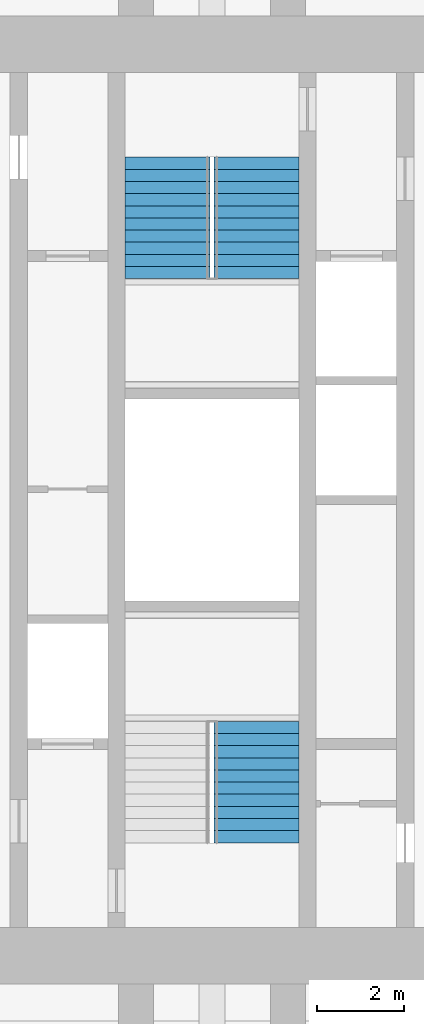
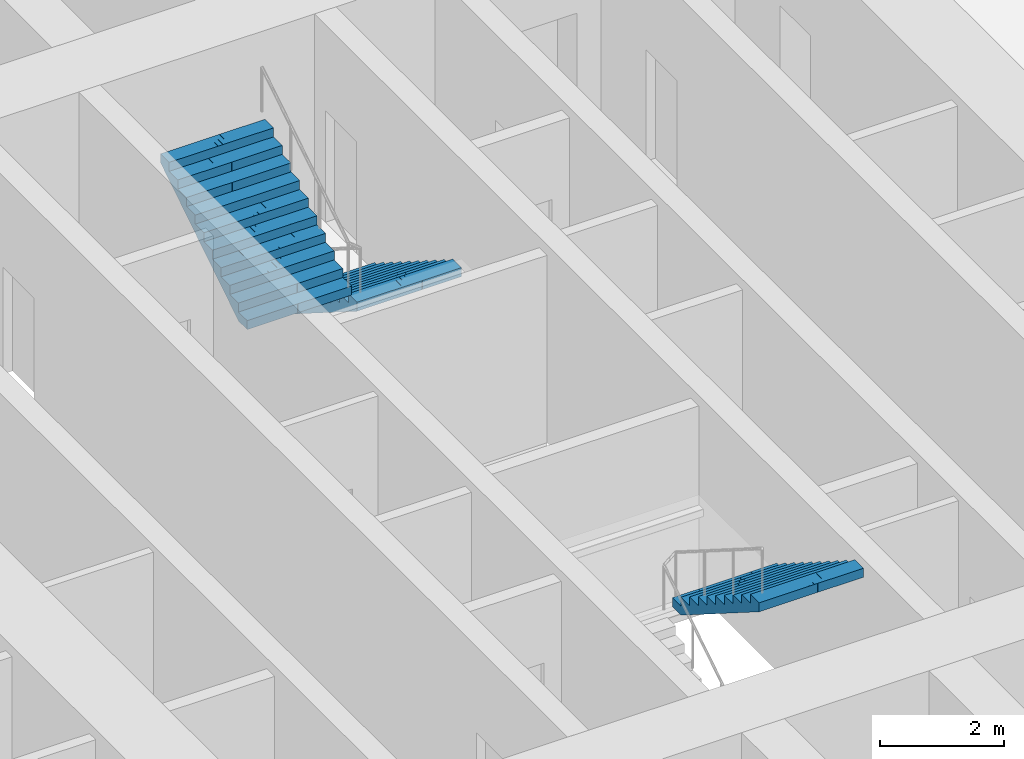
# One storey, part 16 of 17: 3 stair flights, 2 elements without a shape of their own.
"""IFC4 building model written with IfcOpenShell, lengths in metres."""

import ifcopenshell
import ifcopenshell.guid

model = None  # the IFC model being written
_history = None  # IfcOwnerHistory: only IFC2X3 demands one
_inside = {}  # id of a spatial element -> (the spatial element, [elements in it])
_under = {}  # id of a project, library or spatial element -> (it, [spatial elements below it])
_declared = {}  # id of a project -> (the project, [libraries it declares])
_typed = {}  # id of a type object -> (the type object, [elements of that type])
_made_of = {}  # id of a material, layer set ... -> (it, [elements and type objects made of it])


def new_model(schema):
    """Start an empty IFC model of exactly this schema.

    Asked for "IFC4X3", IfcOpenShell would pick the latest addendum, in which some entities
    have other attributes; the version numbers below select the first issue.
    IFC2X3 requires an IfcOwnerHistory on every rooted entity: one is made here for all.
    """
    global model, _history
    if schema == "IFC4X3":
        model = ifcopenshell.file(schema_version=(4, 3, 0, 0))
    else:
        model = ifcopenshell.file(schema=schema)
    _inside.clear()
    _under.clear()
    _declared.clear()
    _typed.clear()
    _made_of.clear()
    _history = None
    if model.schema == "IFC2X3":
        org = make("IfcOrganization", Name="unknown")
        user = make(
            "IfcPersonAndOrganization",
            ThePerson=make("IfcPerson", FamilyName="unknown"),
            TheOrganization=org,
        )
        app = make(
            "IfcApplication",
            ApplicationDeveloper=org,
            Version="unknown",
            ApplicationFullName="unknown",
            ApplicationIdentifier="unknown",
        )
        _history = make(
            "IfcOwnerHistory",
            OwningUser=user,
            OwningApplication=app,
            ChangeAction="ADDED",
            CreationDate=0,
        )
    return model


def make(cls, **values):
    """One entity of the class cls with the attributes given. An attribute that is None is left unset."""
    return model.create_entity(
        cls, **{name: value for name, value in values.items() if value is not None}
    )


def rooted(cls, **values):
    """An entity with a GlobalId (a new one), such as an element, a storey or a relation."""
    return make(cls, GlobalId=ifcopenshell.guid.new(), OwnerHistory=_history, **values)


def si_unit(unit_type, name, prefix=None):
    """IfcSIUnit, for example si_unit("LENGTHUNIT", "METRE", prefix="MILLI")."""
    return make("IfcSIUnit", UnitType=unit_type, Prefix=prefix, Name=name)


def assignment(units):
    """IfcUnitAssignment: the units of a project."""
    return None if units is None else make("IfcUnitAssignment", Units=units)


def point(xyz):
    """IfcCartesianPoint."""
    return None if xyz is None else make("IfcCartesianPoint", Coordinates=xyz)


def direction(xyz):
    """IfcDirection."""
    return None if xyz is None else make("IfcDirection", DirectionRatios=xyz)


def frame(location, z_axis=None, x_axis=None):
    """IfcAxis2Placement3D, a coordinate frame: its origin and axes. An axis left out is left unset."""
    return make(
        "IfcAxis2Placement3D",
        Location=point(location),
        Axis=direction(z_axis),
        RefDirection=direction(x_axis),
    )


def origin():
    """The frame at (0, 0, 0) with its axes left unset."""
    return frame((0.0, 0.0, 0.0))


def place(relative_to, where):
    """IfcLocalPlacement: puts the frame where relative to a parent placement (None: the world)."""
    return make(
        "IfcLocalPlacement", PlacementRelTo=relative_to, RelativePlacement=where
    )


def context(
    kind, dimensions, precision=None, world=None, true_north=None, identifier=None
):
    """IfcGeometricRepresentationContext, for example the 3D "Model" context."""
    return make(
        "IfcGeometricRepresentationContext",
        ContextIdentifier=identifier,
        ContextType=kind,
        CoordinateSpaceDimension=dimensions,
        Precision=precision,
        WorldCoordinateSystem=world,
        TrueNorth=true_north,
    )


def subcontext(parent, identifier, kind, view, scale=None):
    """IfcGeometricRepresentationSubContext, for example "Body" below "Model"."""
    return make(
        "IfcGeometricRepresentationSubContext",
        ContextIdentifier=identifier,
        ContextType=kind,
        ParentContext=parent,
        TargetScale=scale,
        TargetView=view,
    )


def project(units=None, contexts=None):
    """IfcProject with its units and contexts."""
    return rooted(
        "IfcProject",
        Name="project",
        RepresentationContexts=contexts,
        UnitsInContext=assignment(units),
    )


def spatial(cls, under=None, at=None, **own):
    """A site, building, storey or space (cls), placed at a placement, below another one or the project."""
    s = rooted(cls, ObjectPlacement=at, **own)
    if under is not None:
        _under.setdefault(under.id(), (under, []))[1].append(s)
    return s


def polyline(points):
    """IfcPolyline through the points."""
    return make("IfcPolyline", Points=[point(p) for p in points])


def outline(outer, holes=None, kind="AREA"):
    """IfcArbitraryClosedProfileDef: a profile drawn as a closed curve; with holes, ...WithVoids."""
    if holes is None:
        return make("IfcArbitraryClosedProfileDef", ProfileType=kind, OuterCurve=outer)
    return make(
        "IfcArbitraryProfileDefWithVoids",
        ProfileType=kind,
        OuterCurve=outer,
        InnerCurves=holes,
    )


def extrude(swept, where, along, depth):
    """IfcExtrudedAreaSolid: the profile swept, set in the frame where, extruded along a direction by depth."""
    return make(
        "IfcExtrudedAreaSolid",
        SweptArea=swept,
        Position=where,
        ExtrudedDirection=direction(along),
        Depth=depth,
    )


def shape(context_of_items, identifier, shape_type, items):
    """IfcShapeRepresentation: the items that make up one representation, for example the "Body"."""
    return make(
        "IfcShapeRepresentation",
        ContextOfItems=context_of_items,
        RepresentationIdentifier=identifier,
        RepresentationType=shape_type,
        Items=items,
    )


def material(Name=None, Category=None):
    """IfcMaterial."""
    return make("IfcMaterial", Name=Name, Category=Category)


def made_of(thing, what):
    """Note that an element or type object is made of a material, layer set ...; save() writes the relation."""
    if what is not None:
        _made_of.setdefault(what.id(), (what, []))[1].append(thing)
    return thing


def type_object(cls, material=None, **own):
    """A type object (cls), such as IfcWallType, which elements share."""
    return made_of(rooted(cls, **own), material)


def element(
    cls,
    number,
    at=None,
    inside=None,
    cuts=None,
    type_object=None,
    material=None,
    context=None,
    identifier="Body",
    shape_type=None,
    held_by="IfcProductDefinitionShape",
    body=None,
    shapes=None,
    **own,
):
    """One element of the class cls, such as IfcWall. Its Tag is "e" and its number.

    at: its placement. inside: the storey or other place that contains it. cuts: it is an
    opening in that element (IfcRelVoidsElement). A single representation is given by context,
    identifier, shape_type and body (its items); several are given by shapes. held_by: the class
    of the entity that holds the representations. save() writes the other relations.
    """
    e = rooted(cls, Tag="e%d" % number, ObjectPlacement=at, **own)
    if body is not None:
        shapes = [shape(context, identifier, shape_type, body)]
    if shapes is not None:
        e.Representation = make(held_by, Representations=shapes)
    if inside is not None:
        _inside.setdefault(inside.id(), (inside, []))[1].append(e)
    if cuts is not None:
        rooted(
            "IfcRelVoidsElement", RelatingBuildingElement=cuts, RelatedOpeningElement=e
        )
    if type_object is not None:
        _typed.setdefault(type_object.id(), (type_object, []))[1].append(e)
    return made_of(e, material)


def aggregate(whole, parts):
    """IfcRelAggregates: a whole, such as a stair, and the parts it consists of."""
    return rooted("IfcRelAggregates", RelatingObject=whole, RelatedObjects=parts)


def save(model, path):
    """Write the relations noted so far, then the file.

    IfcRelAggregates (storeys below a building ...), IfcRelContainedInSpatialStructure (elements
    in a storey), IfcRelDefinesByType, IfcRelAssociatesMaterial and IfcRelDeclares: one each for
    every whole, place, type object, material and project.
    """
    for whole, parts in _under.values():
        aggregate(whole, parts)
    for where, things in _inside.values():
        rooted(
            "IfcRelContainedInSpatialStructure",
            RelatedElements=things,
            RelatingStructure=where,
        )
    for kind, things in _typed.values():
        rooted("IfcRelDefinesByType", RelatedObjects=things, RelatingType=kind)
    for what, things in _made_of.values():
        rooted("IfcRelAssociatesMaterial", RelatedObjects=things, RelatingMaterial=what)
    for by, libraries in _declared.values():
        rooted("IfcRelDeclares", RelatingContext=by, RelatedDefinitions=libraries)
    model.write(path)


model = new_model("IFC4")

# Units and contexts
model_context = context("Model", 3, precision=1e-05, world=origin(), true_north=direction((0.0, 1.0)))
body_context = subcontext(model_context, "Body", "Model", "MODEL_VIEW")
ifc_project = project(units=[si_unit("LENGTHUNIT", "METRE"), si_unit("AREAUNIT", "SQUARE_METRE"), si_unit("VOLUMEUNIT", "CUBIC_METRE"), si_unit("PLANEANGLEUNIT", "RADIAN"), si_unit("MASSUNIT", "GRAM", prefix="KILO")], contexts=[model_context])

# Site, building, storey
site_placement = place(None, origin())
site = spatial("IfcSite", under=ifc_project, at=site_placement, CompositionType="ELEMENT")
building_placement = place(site_placement, origin())
building = spatial("IfcBuilding", under=site, at=building_placement, Name="Mizan Broadcast Tower", CompositionType="ELEMENT")
storey_placement = place(building_placement, frame((0.0, 0.0, 263.39990234375)))
storey = spatial("IfcBuildingStorey", under=building, at=storey_placement, Name="L62", CompositionType="ELEMENT", Elevation=263.39990234375)

# Stair, stair flight
ifc_material_1 = material(Name="Concrete C40/50", Category="concrete")
stair_type = type_object("IfcStairType", Name="EXIT STAIR", PredefinedType="HALF_TURN_STAIR", material=ifc_material_1)
stair_1_placement = place(storey_placement, origin())
stair_1 = element("IfcStair", 1, at=stair_1_placement, inside=storey, type_object=stair_type, Name="Stair A L62", PredefinedType="HALF_TURN_STAIR")
ifc_material_2 = material(Name="Concrete C40/50", Category="concrete")
stair_flight_type = type_object("IfcStairFlightType", Name="EXIT STAIR FLIGHT", PredefinedType="STRAIGHT", material=ifc_material_2)
stair_flight_1_placement = place(storey_placement, frame((1.02490234375, -5.10009765625, 1.9501953125), z_axis=(0.0, 0.0, 1.0), x_axis=(0.0, -1.0, 0.0)))
stair_flight_1 = element("IfcStairFlight", 2, at=stair_flight_1_placement, type_object=stair_flight_type, Name="A flight 2", NumberOfRisers=11, NumberOfTreads=10, PredefinedType="STRAIGHT", RiserHeight=0.177272727, TreadLength=0.28, context=body_context, shape_type="SweptSolid", body=[
    extrude(outline(polyline([(0.0, 0.0), (0.0, 0.17724609375), (0.280029296875, 0.17724609375), (0.280029296875, 0.3544921875), (0.56005859375, 0.3544921875), (0.56005859375, 0.53173828125), (0.840087890625, 0.53173828125), (0.840087890625, 0.708984375), (1.1201171875, 0.708984375), (1.1201171875, 0.886474609375), (1.39990234375, 0.886474609375), (1.39990234375, 1.063720703125), (1.679931640625, 1.063720703125), (1.679931640625, 1.240966796875), (1.9599609375, 1.240966796875), (1.9599609375, 1.418212890625), (2.239990234375, 1.418212890625), (2.239990234375, 1.595458984375), (2.52001953125, 1.595458984375), (2.52001953125, 1.772705078125), (2.800048828125, 1.772705078125), (2.800048828125, 1.949951171875), (2.800048828125, 1.59521484375), (0.2802734375, 0.0), (0.0, 0.0)])), frame((0.0, 0.97509765625, 0.0), z_axis=(0.0, -1.0, 0.0), x_axis=(1.0, 0.0, 0.0)), (0.0, 0.0, 1.0), 0.4873046875),
    extrude(outline(polyline([(0.0, 0.0), (0.0, 0.17724609375), (0.280029296875, 0.17724609375), (0.280029296875, 0.3544921875), (0.56005859375, 0.3544921875), (0.56005859375, 0.53173828125), (0.840087890625, 0.53173828125), (0.840087890625, 0.708984375), (1.1201171875, 0.708984375), (1.1201171875, 0.886474609375), (1.39990234375, 0.886474609375), (1.39990234375, 1.063720703125), (1.679931640625, 1.063720703125), (1.679931640625, 1.240966796875), (1.9599609375, 1.240966796875), (1.9599609375, 1.418212890625), (2.239990234375, 1.418212890625), (2.239990234375, 1.595458984375), (2.52001953125, 1.595458984375), (2.52001953125, 1.772705078125), (2.800048828125, 1.772705078125), (2.800048828125, 1.949951171875), (2.800048828125, 1.59521484375), (0.2802734375, 0.0), (0.0, 0.0)])), frame((0.0, 0.4873046875, 0.0), z_axis=(0.0, -1.0, 0.0), x_axis=(1.0, 0.0, 0.0)), (0.0, 0.0, 1.0), 0.2431640625),
    extrude(outline(polyline([(0.0, 0.0), (0.0, 0.17724609375), (0.280029296875, 0.17724609375), (0.280029296875, 0.3544921875), (0.56005859375, 0.3544921875), (0.56005859375, 0.53173828125), (0.840087890625, 0.53173828125), (0.840087890625, 0.708984375), (1.1201171875, 0.708984375), (1.1201171875, 0.886474609375), (1.39990234375, 0.886474609375), (1.39990234375, 1.063720703125), (1.679931640625, 1.063720703125), (1.679931640625, 1.240966796875), (1.9599609375, 1.240966796875), (1.9599609375, 1.418212890625), (2.239990234375, 1.418212890625), (2.239990234375, 1.595458984375), (2.52001953125, 1.595458984375), (2.52001953125, 1.772705078125), (2.800048828125, 1.772705078125), (2.800048828125, 1.949951171875), (2.800048828125, 1.59521484375), (0.2802734375, 0.0), (0.0, 0.0)])), frame((0.0, 0.24365234375, 0.0), z_axis=(0.0, -1.0, 0.0), x_axis=(1.0, 0.0, 0.0)), (0.0, 0.0, 1.0), 0.121337890625),
    extrude(outline(polyline([(0.0, 0.0), (0.0, 0.17724609375), (0.280029296875, 0.17724609375), (0.280029296875, 0.3544921875), (0.56005859375, 0.3544921875), (0.56005859375, 0.53173828125), (0.840087890625, 0.53173828125), (0.840087890625, 0.708984375), (1.1201171875, 0.708984375), (1.1201171875, 0.886474609375), (1.39990234375, 0.886474609375), (1.39990234375, 1.063720703125), (1.679931640625, 1.063720703125), (1.679931640625, 1.240966796875), (1.9599609375, 1.240966796875), (1.9599609375, 1.418212890625), (2.239990234375, 1.418212890625), (2.239990234375, 1.595458984375), (2.52001953125, 1.595458984375), (2.52001953125, 1.772705078125), (2.800048828125, 1.772705078125), (2.800048828125, 1.949951171875), (2.800048828125, 1.59521484375), (0.2802734375, 0.0), (0.0, 0.0)])), frame((0.0, 0.121826171875, 0.0), z_axis=(0.0, -1.0, 0.0), x_axis=(1.0, 0.0, 0.0)), (0.0, 0.0, 1.0), 0.060546875),
    extrude(outline(polyline([(0.0, 0.0), (0.0, 0.17724609375), (0.280029296875, 0.17724609375), (0.280029296875, 0.3544921875), (0.56005859375, 0.3544921875), (0.56005859375, 0.53173828125), (0.840087890625, 0.53173828125), (0.840087890625, 0.708984375), (1.1201171875, 0.708984375), (1.1201171875, 0.886474609375), (1.39990234375, 0.886474609375), (1.39990234375, 1.063720703125), (1.679931640625, 1.063720703125), (1.679931640625, 1.240966796875), (1.9599609375, 1.240966796875), (1.9599609375, 1.418212890625), (2.239990234375, 1.418212890625), (2.239990234375, 1.595458984375), (2.52001953125, 1.595458984375), (2.52001953125, 1.772705078125), (2.800048828125, 1.772705078125), (2.800048828125, 1.949951171875), (2.800048828125, 1.59521484375), (0.2802734375, 0.0), (0.0, 0.0)])), frame((0.0, 0.060791015625, 0.0), z_axis=(0.0, -1.0, 0.0), x_axis=(1.0, 0.0, 0.0)), (0.0, 0.0, 1.0), 0.030029296875),
    extrude(outline(polyline([(0.0, 0.0), (0.0, 0.17724609375), (0.280029296875, 0.17724609375), (0.280029296875, 0.3544921875), (0.56005859375, 0.3544921875), (0.56005859375, 0.53173828125), (0.840087890625, 0.53173828125), (0.840087890625, 0.708984375), (1.1201171875, 0.708984375), (1.1201171875, 0.886474609375), (1.39990234375, 0.886474609375), (1.39990234375, 1.063720703125), (1.679931640625, 1.063720703125), (1.679931640625, 1.240966796875), (1.9599609375, 1.240966796875), (1.9599609375, 1.418212890625), (2.239990234375, 1.418212890625), (2.239990234375, 1.595458984375), (2.52001953125, 1.595458984375), (2.52001953125, 1.772705078125), (2.800048828125, 1.772705078125), (2.800048828125, 1.949951171875), (2.800048828125, 1.59521484375), (0.2802734375, 0.0), (0.0, 0.0)])), frame((0.0, 0.0302734375, 0.0), z_axis=(0.0, -1.0, 0.0), x_axis=(1.0, 0.0, 0.0)), (0.0, 0.0, 1.0), 0.060302734375),
    extrude(outline(polyline([(0.0, 0.0), (0.0, 0.17724609375), (0.280029296875, 0.17724609375), (0.280029296875, 0.3544921875), (0.56005859375, 0.3544921875), (0.56005859375, 0.53173828125), (0.840087890625, 0.53173828125), (0.840087890625, 0.708984375), (1.1201171875, 0.708984375), (1.1201171875, 0.886474609375), (1.39990234375, 0.886474609375), (1.39990234375, 1.063720703125), (1.679931640625, 1.063720703125), (1.679931640625, 1.240966796875), (1.9599609375, 1.240966796875), (1.9599609375, 1.418212890625), (2.239990234375, 1.418212890625), (2.239990234375, 1.595458984375), (2.52001953125, 1.595458984375), (2.52001953125, 1.772705078125), (2.800048828125, 1.772705078125), (2.800048828125, 1.949951171875), (2.800048828125, 1.59521484375), (0.2802734375, 0.0), (0.0, 0.0)])), frame((0.0, -0.030517578125, 0.0), z_axis=(0.0, -1.0, 0.0), x_axis=(1.0, 0.0, 0.0)), (0.0, 0.0, 1.0), 0.030029296875),
    extrude(outline(polyline([(0.0, 0.0), (0.0, 0.17724609375), (0.280029296875, 0.17724609375), (0.280029296875, 0.3544921875), (0.56005859375, 0.3544921875), (0.56005859375, 0.53173828125), (0.840087890625, 0.53173828125), (0.840087890625, 0.708984375), (1.1201171875, 0.708984375), (1.1201171875, 0.886474609375), (1.39990234375, 0.886474609375), (1.39990234375, 1.063720703125), (1.679931640625, 1.063720703125), (1.679931640625, 1.240966796875), (1.9599609375, 1.240966796875), (1.9599609375, 1.418212890625), (2.239990234375, 1.418212890625), (2.239990234375, 1.595458984375), (2.52001953125, 1.595458984375), (2.52001953125, 1.772705078125), (2.800048828125, 1.772705078125), (2.800048828125, 1.949951171875), (2.800048828125, 1.59521484375), (0.2802734375, 0.0), (0.0, 0.0)])), frame((0.0, -0.06103515625, 0.0), z_axis=(0.0, -1.0, 0.0), x_axis=(1.0, 0.0, 0.0)), (0.0, 0.0, 1.0), 0.060546875),
    extrude(outline(polyline([(0.0, 0.0), (0.0, 0.17724609375), (0.280029296875, 0.17724609375), (0.280029296875, 0.3544921875), (0.56005859375, 0.3544921875), (0.56005859375, 0.53173828125), (0.840087890625, 0.53173828125), (0.840087890625, 0.708984375), (1.1201171875, 0.708984375), (1.1201171875, 0.886474609375), (1.39990234375, 0.886474609375), (1.39990234375, 1.063720703125), (1.679931640625, 1.063720703125), (1.679931640625, 1.240966796875), (1.9599609375, 1.240966796875), (1.9599609375, 1.418212890625), (2.239990234375, 1.418212890625), (2.239990234375, 1.595458984375), (2.52001953125, 1.595458984375), (2.52001953125, 1.772705078125), (2.800048828125, 1.772705078125), (2.800048828125, 1.949951171875), (2.800048828125, 1.59521484375), (0.2802734375, 0.0), (0.0, 0.0)])), frame((0.0, -0.1220703125, 0.0), z_axis=(0.0, -1.0, 0.0), x_axis=(1.0, 0.0, 0.0)), (0.0, 0.0, 1.0), 0.121337890625),
    extrude(outline(polyline([(0.0, 0.0), (0.0, 0.17724609375), (0.280029296875, 0.17724609375), (0.280029296875, 0.3544921875), (0.56005859375, 0.3544921875), (0.56005859375, 0.53173828125), (0.840087890625, 0.53173828125), (0.840087890625, 0.708984375), (1.1201171875, 0.708984375), (1.1201171875, 0.886474609375), (1.39990234375, 0.886474609375), (1.39990234375, 1.063720703125), (1.679931640625, 1.063720703125), (1.679931640625, 1.240966796875), (1.9599609375, 1.240966796875), (1.9599609375, 1.418212890625), (2.239990234375, 1.418212890625), (2.239990234375, 1.595458984375), (2.52001953125, 1.595458984375), (2.52001953125, 1.772705078125), (2.800048828125, 1.772705078125), (2.800048828125, 1.949951171875), (2.800048828125, 1.59521484375), (0.2802734375, 0.0), (0.0, 0.0)])), frame((0.0, -0.243896484375, 0.0), z_axis=(0.0, -1.0, 0.0), x_axis=(1.0, 0.0, 0.0)), (0.0, 0.0, 1.0), 0.2431640625),
    extrude(outline(polyline([(0.0, 0.0), (0.0, 0.17724609375), (0.280029296875, 0.17724609375), (0.280029296875, 0.3544921875), (0.56005859375, 0.3544921875), (0.56005859375, 0.53173828125), (0.840087890625, 0.53173828125), (0.840087890625, 0.708984375), (1.1201171875, 0.708984375), (1.1201171875, 0.886474609375), (1.39990234375, 0.886474609375), (1.39990234375, 1.063720703125), (1.679931640625, 1.063720703125), (1.679931640625, 1.240966796875), (1.9599609375, 1.240966796875), (1.9599609375, 1.418212890625), (2.239990234375, 1.418212890625), (2.239990234375, 1.595458984375), (2.52001953125, 1.595458984375), (2.52001953125, 1.772705078125), (2.800048828125, 1.772705078125), (2.800048828125, 1.949951171875), (2.800048828125, 1.59521484375), (0.2802734375, 0.0), (0.0, 0.0)])), frame((0.0, -0.487548828125, 0.0), z_axis=(0.0, -1.0, 0.0), x_axis=(1.0, 0.0, 0.0)), (0.0, 0.0, 1.0), 0.4873046875),
])
aggregate(stair_1, [stair_flight_1])

# Stair, stair flights
stair_2_placement = place(storey_placement, origin())
stair_2 = element("IfcStair", 3, at=stair_2_placement, inside=storey, type_object=stair_type, Name="Stair B L62", PredefinedType="HALF_TURN_STAIR")
stair_flight_2_placement = place(storey_placement, frame((1.02490234375, 7.89990234375, 0.0), z_axis=(0.0, 0.0, 1.0), x_axis=(0.0, -1.0, 0.0)))
stair_flight_2 = element("IfcStairFlight", 4, at=stair_flight_2_placement, type_object=stair_flight_type, Name="B flight 1", NumberOfRisers=11, NumberOfTreads=10, PredefinedType="STRAIGHT", RiserHeight=0.177272727, TreadLength=0.28, context=body_context, shape_type="SweptSolid", body=[
    extrude(outline(polyline([(0.0, 0.0), (0.0, 0.17724609375), (0.280029296875, 0.17724609375), (0.280029296875, 0.3544921875), (0.56005859375, 0.3544921875), (0.56005859375, 0.53173828125), (0.840087890625, 0.53173828125), (0.840087890625, 0.708984375), (1.1201171875, 0.708984375), (1.1201171875, 0.886474609375), (1.39990234375, 0.886474609375), (1.39990234375, 1.063720703125), (1.679931640625, 1.063720703125), (1.679931640625, 1.240966796875), (1.9599609375, 1.240966796875), (1.9599609375, 1.418212890625), (2.239990234375, 1.418212890625), (2.239990234375, 1.595458984375), (2.52001953125, 1.595458984375), (2.52001953125, 1.772705078125), (2.800048828125, 1.772705078125), (2.800048828125, 1.949951171875), (2.800048828125, 1.59521484375), (0.2802734375, 0.0), (0.0, 0.0)])), frame((0.0, 0.97509765625, 0.0), z_axis=(0.0, -1.0, 0.0), x_axis=(1.0, 0.0, 0.0)), (0.0, 0.0, 1.0), 0.4873046875),
    extrude(outline(polyline([(0.0, 0.0), (0.0, 0.17724609375), (0.280029296875, 0.17724609375), (0.280029296875, 0.3544921875), (0.56005859375, 0.3544921875), (0.56005859375, 0.53173828125), (0.840087890625, 0.53173828125), (0.840087890625, 0.708984375), (1.1201171875, 0.708984375), (1.1201171875, 0.886474609375), (1.39990234375, 0.886474609375), (1.39990234375, 1.063720703125), (1.679931640625, 1.063720703125), (1.679931640625, 1.240966796875), (1.9599609375, 1.240966796875), (1.9599609375, 1.418212890625), (2.239990234375, 1.418212890625), (2.239990234375, 1.595458984375), (2.52001953125, 1.595458984375), (2.52001953125, 1.772705078125), (2.800048828125, 1.772705078125), (2.800048828125, 1.949951171875), (2.800048828125, 1.59521484375), (0.2802734375, 0.0), (0.0, 0.0)])), frame((0.0, 0.4873046875, 0.0), z_axis=(0.0, -1.0, 0.0), x_axis=(1.0, 0.0, 0.0)), (0.0, 0.0, 1.0), 0.2431640625),
    extrude(outline(polyline([(0.0, 0.0), (0.0, 0.17724609375), (0.280029296875, 0.17724609375), (0.280029296875, 0.3544921875), (0.56005859375, 0.3544921875), (0.56005859375, 0.53173828125), (0.840087890625, 0.53173828125), (0.840087890625, 0.708984375), (1.1201171875, 0.708984375), (1.1201171875, 0.886474609375), (1.39990234375, 0.886474609375), (1.39990234375, 1.063720703125), (1.679931640625, 1.063720703125), (1.679931640625, 1.240966796875), (1.9599609375, 1.240966796875), (1.9599609375, 1.418212890625), (2.239990234375, 1.418212890625), (2.239990234375, 1.595458984375), (2.52001953125, 1.595458984375), (2.52001953125, 1.772705078125), (2.800048828125, 1.772705078125), (2.800048828125, 1.949951171875), (2.800048828125, 1.59521484375), (0.2802734375, 0.0), (0.0, 0.0)])), frame((0.0, 0.24365234375, 0.0), z_axis=(0.0, -1.0, 0.0), x_axis=(1.0, 0.0, 0.0)), (0.0, 0.0, 1.0), 0.121337890625),
    extrude(outline(polyline([(0.0, 0.0), (0.0, 0.17724609375), (0.280029296875, 0.17724609375), (0.280029296875, 0.3544921875), (0.56005859375, 0.3544921875), (0.56005859375, 0.53173828125), (0.840087890625, 0.53173828125), (0.840087890625, 0.708984375), (1.1201171875, 0.708984375), (1.1201171875, 0.886474609375), (1.39990234375, 0.886474609375), (1.39990234375, 1.063720703125), (1.679931640625, 1.063720703125), (1.679931640625, 1.240966796875), (1.9599609375, 1.240966796875), (1.9599609375, 1.418212890625), (2.239990234375, 1.418212890625), (2.239990234375, 1.595458984375), (2.52001953125, 1.595458984375), (2.52001953125, 1.772705078125), (2.800048828125, 1.772705078125), (2.800048828125, 1.949951171875), (2.800048828125, 1.59521484375), (0.2802734375, 0.0), (0.0, 0.0)])), frame((0.0, 0.121826171875, 0.0), z_axis=(0.0, -1.0, 0.0), x_axis=(1.0, 0.0, 0.0)), (0.0, 0.0, 1.0), 0.060546875),
    extrude(outline(polyline([(0.0, 0.0), (0.0, 0.17724609375), (0.280029296875, 0.17724609375), (0.280029296875, 0.3544921875), (0.56005859375, 0.3544921875), (0.56005859375, 0.53173828125), (0.840087890625, 0.53173828125), (0.840087890625, 0.708984375), (1.1201171875, 0.708984375), (1.1201171875, 0.886474609375), (1.39990234375, 0.886474609375), (1.39990234375, 1.063720703125), (1.679931640625, 1.063720703125), (1.679931640625, 1.240966796875), (1.9599609375, 1.240966796875), (1.9599609375, 1.418212890625), (2.239990234375, 1.418212890625), (2.239990234375, 1.595458984375), (2.52001953125, 1.595458984375), (2.52001953125, 1.772705078125), (2.800048828125, 1.772705078125), (2.800048828125, 1.949951171875), (2.800048828125, 1.59521484375), (0.2802734375, 0.0), (0.0, 0.0)])), frame((0.0, 0.060791015625, 0.0), z_axis=(0.0, -1.0, 0.0), x_axis=(1.0, 0.0, 0.0)), (0.0, 0.0, 1.0), 0.030029296875),
    extrude(outline(polyline([(0.0, 0.0), (0.0, 0.17724609375), (0.280029296875, 0.17724609375), (0.280029296875, 0.3544921875), (0.56005859375, 0.3544921875), (0.56005859375, 0.53173828125), (0.840087890625, 0.53173828125), (0.840087890625, 0.708984375), (1.1201171875, 0.708984375), (1.1201171875, 0.886474609375), (1.39990234375, 0.886474609375), (1.39990234375, 1.063720703125), (1.679931640625, 1.063720703125), (1.679931640625, 1.240966796875), (1.9599609375, 1.240966796875), (1.9599609375, 1.418212890625), (2.239990234375, 1.418212890625), (2.239990234375, 1.595458984375), (2.52001953125, 1.595458984375), (2.52001953125, 1.772705078125), (2.800048828125, 1.772705078125), (2.800048828125, 1.949951171875), (2.800048828125, 1.59521484375), (0.2802734375, 0.0), (0.0, 0.0)])), frame((0.0, 0.0302734375, 0.0), z_axis=(0.0, -1.0, 0.0), x_axis=(1.0, 0.0, 0.0)), (0.0, 0.0, 1.0), 0.060302734375),
    extrude(outline(polyline([(0.0, 0.0), (0.0, 0.17724609375), (0.280029296875, 0.17724609375), (0.280029296875, 0.3544921875), (0.56005859375, 0.3544921875), (0.56005859375, 0.53173828125), (0.840087890625, 0.53173828125), (0.840087890625, 0.708984375), (1.1201171875, 0.708984375), (1.1201171875, 0.886474609375), (1.39990234375, 0.886474609375), (1.39990234375, 1.063720703125), (1.679931640625, 1.063720703125), (1.679931640625, 1.240966796875), (1.9599609375, 1.240966796875), (1.9599609375, 1.418212890625), (2.239990234375, 1.418212890625), (2.239990234375, 1.595458984375), (2.52001953125, 1.595458984375), (2.52001953125, 1.772705078125), (2.800048828125, 1.772705078125), (2.800048828125, 1.949951171875), (2.800048828125, 1.59521484375), (0.2802734375, 0.0), (0.0, 0.0)])), frame((0.0, -0.030517578125, 0.0), z_axis=(0.0, -1.0, 0.0), x_axis=(1.0, 0.0, 0.0)), (0.0, 0.0, 1.0), 0.030029296875),
    extrude(outline(polyline([(0.0, 0.0), (0.0, 0.17724609375), (0.280029296875, 0.17724609375), (0.280029296875, 0.3544921875), (0.56005859375, 0.3544921875), (0.56005859375, 0.53173828125), (0.840087890625, 0.53173828125), (0.840087890625, 0.708984375), (1.1201171875, 0.708984375), (1.1201171875, 0.886474609375), (1.39990234375, 0.886474609375), (1.39990234375, 1.063720703125), (1.679931640625, 1.063720703125), (1.679931640625, 1.240966796875), (1.9599609375, 1.240966796875), (1.9599609375, 1.418212890625), (2.239990234375, 1.418212890625), (2.239990234375, 1.595458984375), (2.52001953125, 1.595458984375), (2.52001953125, 1.772705078125), (2.800048828125, 1.772705078125), (2.800048828125, 1.949951171875), (2.800048828125, 1.59521484375), (0.2802734375, 0.0), (0.0, 0.0)])), frame((0.0, -0.06103515625, 0.0), z_axis=(0.0, -1.0, 0.0), x_axis=(1.0, 0.0, 0.0)), (0.0, 0.0, 1.0), 0.060546875),
    extrude(outline(polyline([(0.0, 0.0), (0.0, 0.17724609375), (0.280029296875, 0.17724609375), (0.280029296875, 0.3544921875), (0.56005859375, 0.3544921875), (0.56005859375, 0.53173828125), (0.840087890625, 0.53173828125), (0.840087890625, 0.708984375), (1.1201171875, 0.708984375), (1.1201171875, 0.886474609375), (1.39990234375, 0.886474609375), (1.39990234375, 1.063720703125), (1.679931640625, 1.063720703125), (1.679931640625, 1.240966796875), (1.9599609375, 1.240966796875), (1.9599609375, 1.418212890625), (2.239990234375, 1.418212890625), (2.239990234375, 1.595458984375), (2.52001953125, 1.595458984375), (2.52001953125, 1.772705078125), (2.800048828125, 1.772705078125), (2.800048828125, 1.949951171875), (2.800048828125, 1.59521484375), (0.2802734375, 0.0), (0.0, 0.0)])), frame((0.0, -0.1220703125, 0.0), z_axis=(0.0, -1.0, 0.0), x_axis=(1.0, 0.0, 0.0)), (0.0, 0.0, 1.0), 0.121337890625),
    extrude(outline(polyline([(0.0, 0.0), (0.0, 0.17724609375), (0.280029296875, 0.17724609375), (0.280029296875, 0.3544921875), (0.56005859375, 0.3544921875), (0.56005859375, 0.53173828125), (0.840087890625, 0.53173828125), (0.840087890625, 0.708984375), (1.1201171875, 0.708984375), (1.1201171875, 0.886474609375), (1.39990234375, 0.886474609375), (1.39990234375, 1.063720703125), (1.679931640625, 1.063720703125), (1.679931640625, 1.240966796875), (1.9599609375, 1.240966796875), (1.9599609375, 1.418212890625), (2.239990234375, 1.418212890625), (2.239990234375, 1.595458984375), (2.52001953125, 1.595458984375), (2.52001953125, 1.772705078125), (2.800048828125, 1.772705078125), (2.800048828125, 1.949951171875), (2.800048828125, 1.59521484375), (0.2802734375, 0.0), (0.0, 0.0)])), frame((0.0, -0.243896484375, 0.0), z_axis=(0.0, -1.0, 0.0), x_axis=(1.0, 0.0, 0.0)), (0.0, 0.0, 1.0), 0.2431640625),
    extrude(outline(polyline([(0.0, 0.0), (0.0, 0.17724609375), (0.280029296875, 0.17724609375), (0.280029296875, 0.3544921875), (0.56005859375, 0.3544921875), (0.56005859375, 0.53173828125), (0.840087890625, 0.53173828125), (0.840087890625, 0.708984375), (1.1201171875, 0.708984375), (1.1201171875, 0.886474609375), (1.39990234375, 0.886474609375), (1.39990234375, 1.063720703125), (1.679931640625, 1.063720703125), (1.679931640625, 1.240966796875), (1.9599609375, 1.240966796875), (1.9599609375, 1.418212890625), (2.239990234375, 1.418212890625), (2.239990234375, 1.595458984375), (2.52001953125, 1.595458984375), (2.52001953125, 1.772705078125), (2.800048828125, 1.772705078125), (2.800048828125, 1.949951171875), (2.800048828125, 1.59521484375), (0.2802734375, 0.0), (0.0, 0.0)])), frame((0.0, -0.487548828125, 0.0), z_axis=(0.0, -1.0, 0.0), x_axis=(1.0, 0.0, 0.0)), (0.0, 0.0, 1.0), 0.4873046875),
])
stair_flight_3_placement = place(storey_placement, frame((-1.02490234375, 5.10009765625, 1.9501953125), z_axis=(0.0, 0.0, 1.0), x_axis=(0.0, 1.0, 0.0)))
stair_flight_3 = element("IfcStairFlight", 5, at=stair_flight_3_placement, type_object=stair_flight_type, Name="B flight 2", NumberOfRisers=11, NumberOfTreads=10, PredefinedType="STRAIGHT", RiserHeight=0.177272727, TreadLength=0.28, context=body_context, shape_type="SweptSolid", body=[
    extrude(outline(polyline([(0.0, 0.0), (0.0, 0.17724609375), (0.280029296875, 0.17724609375), (0.280029296875, 0.3544921875), (0.56005859375, 0.3544921875), (0.56005859375, 0.53173828125), (0.840087890625, 0.53173828125), (0.840087890625, 0.708984375), (1.1201171875, 0.708984375), (1.1201171875, 0.886474609375), (1.39990234375, 0.886474609375), (1.39990234375, 1.063720703125), (1.679931640625, 1.063720703125), (1.679931640625, 1.240966796875), (1.9599609375, 1.240966796875), (1.9599609375, 1.418212890625), (2.239990234375, 1.418212890625), (2.239990234375, 1.595458984375), (2.52001953125, 1.595458984375), (2.52001953125, 1.772705078125), (2.800048828125, 1.772705078125), (2.800048828125, 1.949951171875), (2.800048828125, 1.59521484375), (0.2802734375, 0.0), (0.0, 0.0)])), frame((0.0, 0.97509765625, 0.0), z_axis=(0.0, -1.0, 0.0), x_axis=(1.0, 0.0, 0.0)), (0.0, 0.0, 1.0), 0.4873046875),
    extrude(outline(polyline([(0.0, 0.0), (0.0, 0.17724609375), (0.280029296875, 0.17724609375), (0.280029296875, 0.3544921875), (0.56005859375, 0.3544921875), (0.56005859375, 0.53173828125), (0.840087890625, 0.53173828125), (0.840087890625, 0.708984375), (1.1201171875, 0.708984375), (1.1201171875, 0.886474609375), (1.39990234375, 0.886474609375), (1.39990234375, 1.063720703125), (1.679931640625, 1.063720703125), (1.679931640625, 1.240966796875), (1.9599609375, 1.240966796875), (1.9599609375, 1.418212890625), (2.239990234375, 1.418212890625), (2.239990234375, 1.595458984375), (2.52001953125, 1.595458984375), (2.52001953125, 1.772705078125), (2.800048828125, 1.772705078125), (2.800048828125, 1.949951171875), (2.800048828125, 1.59521484375), (0.2802734375, 0.0), (0.0, 0.0)])), frame((0.0, 0.4873046875, 0.0), z_axis=(0.0, -1.0, 0.0), x_axis=(1.0, 0.0, 0.0)), (0.0, 0.0, 1.0), 0.2431640625),
    extrude(outline(polyline([(0.0, 0.0), (0.0, 0.17724609375), (0.280029296875, 0.17724609375), (0.280029296875, 0.3544921875), (0.56005859375, 0.3544921875), (0.56005859375, 0.53173828125), (0.840087890625, 0.53173828125), (0.840087890625, 0.708984375), (1.1201171875, 0.708984375), (1.1201171875, 0.886474609375), (1.39990234375, 0.886474609375), (1.39990234375, 1.063720703125), (1.679931640625, 1.063720703125), (1.679931640625, 1.240966796875), (1.9599609375, 1.240966796875), (1.9599609375, 1.418212890625), (2.239990234375, 1.418212890625), (2.239990234375, 1.595458984375), (2.52001953125, 1.595458984375), (2.52001953125, 1.772705078125), (2.800048828125, 1.772705078125), (2.800048828125, 1.949951171875), (2.800048828125, 1.59521484375), (0.2802734375, 0.0), (0.0, 0.0)])), frame((0.0, 0.24365234375, 0.0), z_axis=(0.0, -1.0, 0.0), x_axis=(1.0, 0.0, 0.0)), (0.0, 0.0, 1.0), 0.121337890625),
    extrude(outline(polyline([(0.0, 0.0), (0.0, 0.17724609375), (0.280029296875, 0.17724609375), (0.280029296875, 0.3544921875), (0.56005859375, 0.3544921875), (0.56005859375, 0.53173828125), (0.840087890625, 0.53173828125), (0.840087890625, 0.708984375), (1.1201171875, 0.708984375), (1.1201171875, 0.886474609375), (1.39990234375, 0.886474609375), (1.39990234375, 1.063720703125), (1.679931640625, 1.063720703125), (1.679931640625, 1.240966796875), (1.9599609375, 1.240966796875), (1.9599609375, 1.418212890625), (2.239990234375, 1.418212890625), (2.239990234375, 1.595458984375), (2.52001953125, 1.595458984375), (2.52001953125, 1.772705078125), (2.800048828125, 1.772705078125), (2.800048828125, 1.949951171875), (2.800048828125, 1.59521484375), (0.2802734375, 0.0), (0.0, 0.0)])), frame((0.0, 0.121826171875, 0.0), z_axis=(0.0, -1.0, 0.0), x_axis=(1.0, 0.0, 0.0)), (0.0, 0.0, 1.0), 0.060546875),
    extrude(outline(polyline([(0.0, 0.0), (0.0, 0.17724609375), (0.280029296875, 0.17724609375), (0.280029296875, 0.3544921875), (0.56005859375, 0.3544921875), (0.56005859375, 0.53173828125), (0.840087890625, 0.53173828125), (0.840087890625, 0.708984375), (1.1201171875, 0.708984375), (1.1201171875, 0.886474609375), (1.39990234375, 0.886474609375), (1.39990234375, 1.063720703125), (1.679931640625, 1.063720703125), (1.679931640625, 1.240966796875), (1.9599609375, 1.240966796875), (1.9599609375, 1.418212890625), (2.239990234375, 1.418212890625), (2.239990234375, 1.595458984375), (2.52001953125, 1.595458984375), (2.52001953125, 1.772705078125), (2.800048828125, 1.772705078125), (2.800048828125, 1.949951171875), (2.800048828125, 1.59521484375), (0.2802734375, 0.0), (0.0, 0.0)])), frame((0.0, 0.060791015625, 0.0), z_axis=(0.0, -1.0, 0.0), x_axis=(1.0, 0.0, 0.0)), (0.0, 0.0, 1.0), 0.030029296875),
    extrude(outline(polyline([(0.0, 0.0), (0.0, 0.17724609375), (0.280029296875, 0.17724609375), (0.280029296875, 0.3544921875), (0.56005859375, 0.3544921875), (0.56005859375, 0.53173828125), (0.840087890625, 0.53173828125), (0.840087890625, 0.708984375), (1.1201171875, 0.708984375), (1.1201171875, 0.886474609375), (1.39990234375, 0.886474609375), (1.39990234375, 1.063720703125), (1.679931640625, 1.063720703125), (1.679931640625, 1.240966796875), (1.9599609375, 1.240966796875), (1.9599609375, 1.418212890625), (2.239990234375, 1.418212890625), (2.239990234375, 1.595458984375), (2.52001953125, 1.595458984375), (2.52001953125, 1.772705078125), (2.800048828125, 1.772705078125), (2.800048828125, 1.949951171875), (2.800048828125, 1.59521484375), (0.2802734375, 0.0), (0.0, 0.0)])), frame((0.0, 0.0302734375, 0.0), z_axis=(0.0, -1.0, 0.0), x_axis=(1.0, 0.0, 0.0)), (0.0, 0.0, 1.0), 0.060302734375),
    extrude(outline(polyline([(0.0, 0.0), (0.0, 0.17724609375), (0.280029296875, 0.17724609375), (0.280029296875, 0.3544921875), (0.56005859375, 0.3544921875), (0.56005859375, 0.53173828125), (0.840087890625, 0.53173828125), (0.840087890625, 0.708984375), (1.1201171875, 0.708984375), (1.1201171875, 0.886474609375), (1.39990234375, 0.886474609375), (1.39990234375, 1.063720703125), (1.679931640625, 1.063720703125), (1.679931640625, 1.240966796875), (1.9599609375, 1.240966796875), (1.9599609375, 1.418212890625), (2.239990234375, 1.418212890625), (2.239990234375, 1.595458984375), (2.52001953125, 1.595458984375), (2.52001953125, 1.772705078125), (2.800048828125, 1.772705078125), (2.800048828125, 1.949951171875), (2.800048828125, 1.59521484375), (0.2802734375, 0.0), (0.0, 0.0)])), frame((0.0, -0.030517578125, 0.0), z_axis=(0.0, -1.0, 0.0), x_axis=(1.0, 0.0, 0.0)), (0.0, 0.0, 1.0), 0.030029296875),
    extrude(outline(polyline([(0.0, 0.0), (0.0, 0.17724609375), (0.280029296875, 0.17724609375), (0.280029296875, 0.3544921875), (0.56005859375, 0.3544921875), (0.56005859375, 0.53173828125), (0.840087890625, 0.53173828125), (0.840087890625, 0.708984375), (1.1201171875, 0.708984375), (1.1201171875, 0.886474609375), (1.39990234375, 0.886474609375), (1.39990234375, 1.063720703125), (1.679931640625, 1.063720703125), (1.679931640625, 1.240966796875), (1.9599609375, 1.240966796875), (1.9599609375, 1.418212890625), (2.239990234375, 1.418212890625), (2.239990234375, 1.595458984375), (2.52001953125, 1.595458984375), (2.52001953125, 1.772705078125), (2.800048828125, 1.772705078125), (2.800048828125, 1.949951171875), (2.800048828125, 1.59521484375), (0.2802734375, 0.0), (0.0, 0.0)])), frame((0.0, -0.06103515625, 0.0), z_axis=(0.0, -1.0, 0.0), x_axis=(1.0, 0.0, 0.0)), (0.0, 0.0, 1.0), 0.060546875),
    extrude(outline(polyline([(0.0, 0.0), (0.0, 0.17724609375), (0.280029296875, 0.17724609375), (0.280029296875, 0.3544921875), (0.56005859375, 0.3544921875), (0.56005859375, 0.53173828125), (0.840087890625, 0.53173828125), (0.840087890625, 0.708984375), (1.1201171875, 0.708984375), (1.1201171875, 0.886474609375), (1.39990234375, 0.886474609375), (1.39990234375, 1.063720703125), (1.679931640625, 1.063720703125), (1.679931640625, 1.240966796875), (1.9599609375, 1.240966796875), (1.9599609375, 1.418212890625), (2.239990234375, 1.418212890625), (2.239990234375, 1.595458984375), (2.52001953125, 1.595458984375), (2.52001953125, 1.772705078125), (2.800048828125, 1.772705078125), (2.800048828125, 1.949951171875), (2.800048828125, 1.59521484375), (0.2802734375, 0.0), (0.0, 0.0)])), frame((0.0, -0.1220703125, 0.0), z_axis=(0.0, -1.0, 0.0), x_axis=(1.0, 0.0, 0.0)), (0.0, 0.0, 1.0), 0.121337890625),
    extrude(outline(polyline([(0.0, 0.0), (0.0, 0.17724609375), (0.280029296875, 0.17724609375), (0.280029296875, 0.3544921875), (0.56005859375, 0.3544921875), (0.56005859375, 0.53173828125), (0.840087890625, 0.53173828125), (0.840087890625, 0.708984375), (1.1201171875, 0.708984375), (1.1201171875, 0.886474609375), (1.39990234375, 0.886474609375), (1.39990234375, 1.063720703125), (1.679931640625, 1.063720703125), (1.679931640625, 1.240966796875), (1.9599609375, 1.240966796875), (1.9599609375, 1.418212890625), (2.239990234375, 1.418212890625), (2.239990234375, 1.595458984375), (2.52001953125, 1.595458984375), (2.52001953125, 1.772705078125), (2.800048828125, 1.772705078125), (2.800048828125, 1.949951171875), (2.800048828125, 1.59521484375), (0.2802734375, 0.0), (0.0, 0.0)])), frame((0.0, -0.243896484375, 0.0), z_axis=(0.0, -1.0, 0.0), x_axis=(1.0, 0.0, 0.0)), (0.0, 0.0, 1.0), 0.2431640625),
    extrude(outline(polyline([(0.0, 0.0), (0.0, 0.17724609375), (0.280029296875, 0.17724609375), (0.280029296875, 0.3544921875), (0.56005859375, 0.3544921875), (0.56005859375, 0.53173828125), (0.840087890625, 0.53173828125), (0.840087890625, 0.708984375), (1.1201171875, 0.708984375), (1.1201171875, 0.886474609375), (1.39990234375, 0.886474609375), (1.39990234375, 1.063720703125), (1.679931640625, 1.063720703125), (1.679931640625, 1.240966796875), (1.9599609375, 1.240966796875), (1.9599609375, 1.418212890625), (2.239990234375, 1.418212890625), (2.239990234375, 1.595458984375), (2.52001953125, 1.595458984375), (2.52001953125, 1.772705078125), (2.800048828125, 1.772705078125), (2.800048828125, 1.949951171875), (2.800048828125, 1.59521484375), (0.2802734375, 0.0), (0.0, 0.0)])), frame((0.0, -0.487548828125, 0.0), z_axis=(0.0, -1.0, 0.0), x_axis=(1.0, 0.0, 0.0)), (0.0, 0.0, 1.0), 0.4873046875),
])
aggregate(stair_2, [stair_flight_2, stair_flight_3])

save(model, "model.ifc")
